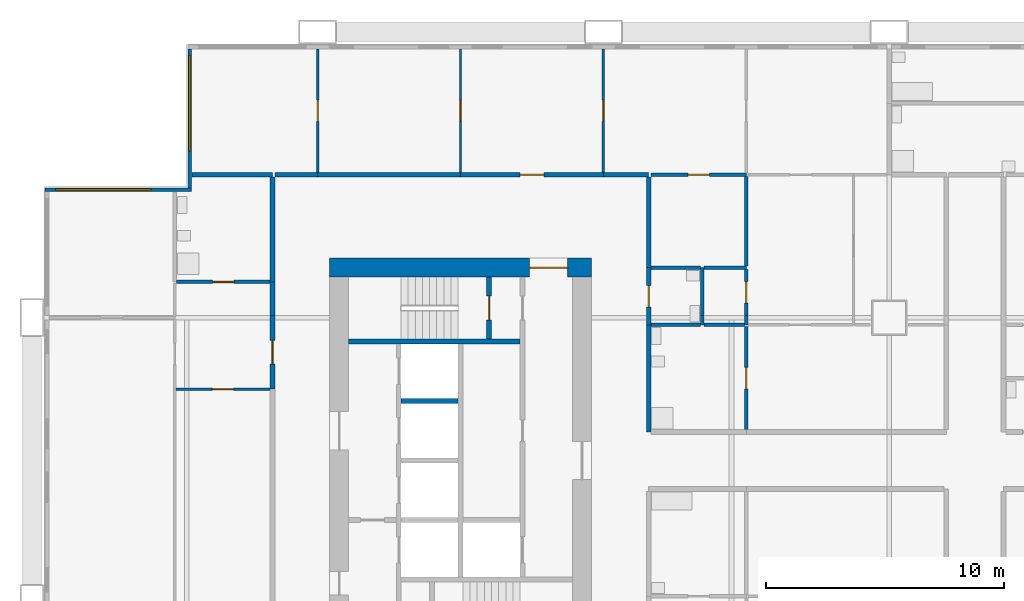
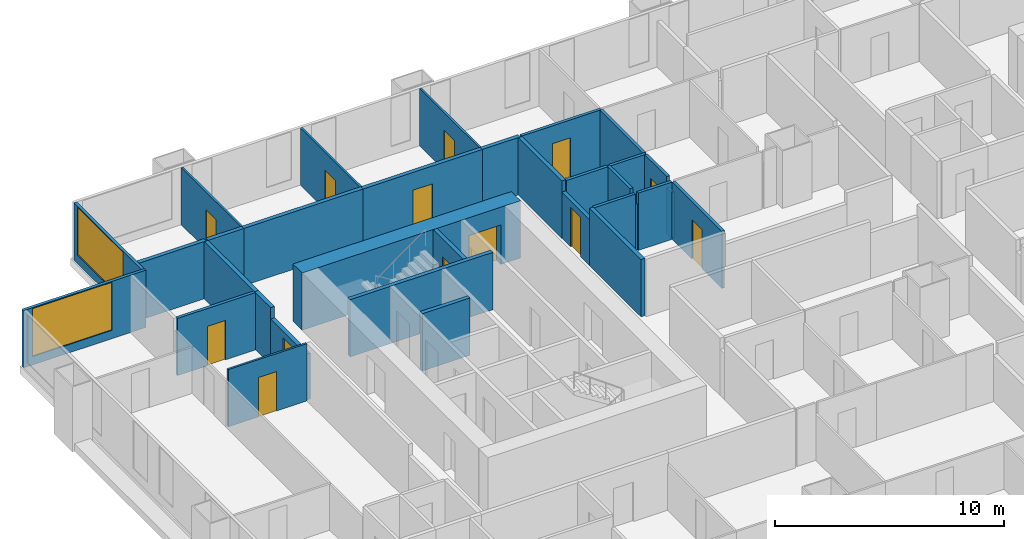
# One storey, part 8 of 14: 33 walls, 13 doors, 2 windows, 15 openings.
"""IFC4 building model written with IfcOpenShell, lengths in metres."""

import ifcopenshell
import ifcopenshell.guid

model = None  # the IFC model being written
_history = None  # IfcOwnerHistory: only IFC2X3 demands one
_inside = {}  # id of a spatial element -> (the spatial element, [elements in it])
_under = {}  # id of a project, library or spatial element -> (it, [spatial elements below it])
_declared = {}  # id of a project -> (the project, [libraries it declares])
_typed = {}  # id of a type object -> (the type object, [elements of that type])
_made_of = {}  # id of a material, layer set ... -> (it, [elements and type objects made of it])


def new_model(schema):
    """Start an empty IFC model of exactly this schema.

    Asked for "IFC4X3", IfcOpenShell would pick the latest addendum, in which some entities
    have other attributes; the version numbers below select the first issue.
    IFC2X3 requires an IfcOwnerHistory on every rooted entity: one is made here for all.
    """
    global model, _history
    if schema == "IFC4X3":
        model = ifcopenshell.file(schema_version=(4, 3, 0, 0))
    else:
        model = ifcopenshell.file(schema=schema)
    _inside.clear()
    _under.clear()
    _declared.clear()
    _typed.clear()
    _made_of.clear()
    _history = None
    if model.schema == "IFC2X3":
        org = make("IfcOrganization", Name="unknown")
        user = make(
            "IfcPersonAndOrganization",
            ThePerson=make("IfcPerson", FamilyName="unknown"),
            TheOrganization=org,
        )
        app = make(
            "IfcApplication",
            ApplicationDeveloper=org,
            Version="unknown",
            ApplicationFullName="unknown",
            ApplicationIdentifier="unknown",
        )
        _history = make(
            "IfcOwnerHistory",
            OwningUser=user,
            OwningApplication=app,
            ChangeAction="ADDED",
            CreationDate=0,
        )
    return model


def make(cls, **values):
    """One entity of the class cls with the attributes given. An attribute that is None is left unset."""
    return model.create_entity(
        cls, **{name: value for name, value in values.items() if value is not None}
    )


def rooted(cls, **values):
    """An entity with a GlobalId (a new one), such as an element, a storey or a relation."""
    return make(cls, GlobalId=ifcopenshell.guid.new(), OwnerHistory=_history, **values)


def si_unit(unit_type, name, prefix=None):
    """IfcSIUnit, for example si_unit("LENGTHUNIT", "METRE", prefix="MILLI")."""
    return make("IfcSIUnit", UnitType=unit_type, Prefix=prefix, Name=name)


def assignment(units):
    """IfcUnitAssignment: the units of a project."""
    return None if units is None else make("IfcUnitAssignment", Units=units)


def point(xyz):
    """IfcCartesianPoint."""
    return None if xyz is None else make("IfcCartesianPoint", Coordinates=xyz)


def direction(xyz):
    """IfcDirection."""
    return None if xyz is None else make("IfcDirection", DirectionRatios=xyz)


def frame(location, z_axis=None, x_axis=None):
    """IfcAxis2Placement3D, a coordinate frame: its origin and axes. An axis left out is left unset."""
    return make(
        "IfcAxis2Placement3D",
        Location=point(location),
        Axis=direction(z_axis),
        RefDirection=direction(x_axis),
    )


def frame_2d(location, x_axis=None):
    """IfcAxis2Placement2D, a coordinate frame in the plane: its origin and x axis."""
    return make(
        "IfcAxis2Placement2D", Location=point(location), RefDirection=direction(x_axis)
    )


def origin():
    """The frame at (0, 0, 0) with its axes left unset."""
    return frame((0.0, 0.0, 0.0))


def place(relative_to, where):
    """IfcLocalPlacement: puts the frame where relative to a parent placement (None: the world)."""
    return make(
        "IfcLocalPlacement", PlacementRelTo=relative_to, RelativePlacement=where
    )


def context(
    kind, dimensions, precision=None, world=None, true_north=None, identifier=None
):
    """IfcGeometricRepresentationContext, for example the 3D "Model" context."""
    return make(
        "IfcGeometricRepresentationContext",
        ContextIdentifier=identifier,
        ContextType=kind,
        CoordinateSpaceDimension=dimensions,
        Precision=precision,
        WorldCoordinateSystem=world,
        TrueNorth=true_north,
    )


def subcontext(parent, identifier, kind, view, scale=None):
    """IfcGeometricRepresentationSubContext, for example "Body" below "Model"."""
    return make(
        "IfcGeometricRepresentationSubContext",
        ContextIdentifier=identifier,
        ContextType=kind,
        ParentContext=parent,
        TargetScale=scale,
        TargetView=view,
    )


def project(units=None, contexts=None):
    """IfcProject with its units and contexts."""
    return rooted(
        "IfcProject",
        Name="project",
        RepresentationContexts=contexts,
        UnitsInContext=assignment(units),
    )


def spatial(cls, under=None, at=None, **own):
    """A site, building, storey or space (cls), placed at a placement, below another one or the project."""
    s = rooted(cls, ObjectPlacement=at, **own)
    if under is not None:
        _under.setdefault(under.id(), (under, []))[1].append(s)
    return s


def profile(cls, at=None, kind="AREA", **sizes):
    """A parametric profile (cls). Its sizes go by their IFC names, for example OverallWidth=200.0."""
    return make(cls, ProfileType=kind, Position=at, **sizes)


def rectangle(**sizes):
    """IfcRectangleProfileDef."""
    return profile("IfcRectangleProfileDef", **sizes)


def extrude(swept, where, along, depth):
    """IfcExtrudedAreaSolid: the profile swept, set in the frame where, extruded along a direction by depth."""
    return make(
        "IfcExtrudedAreaSolid",
        SweptArea=swept,
        Position=where,
        ExtrudedDirection=direction(along),
        Depth=depth,
    )


def shape(context_of_items, identifier, shape_type, items):
    """IfcShapeRepresentation: the items that make up one representation, for example the "Body"."""
    return make(
        "IfcShapeRepresentation",
        ContextOfItems=context_of_items,
        RepresentationIdentifier=identifier,
        RepresentationType=shape_type,
        Items=items,
    )


def material(Name=None, Category=None):
    """IfcMaterial."""
    return make("IfcMaterial", Name=Name, Category=Category)


def layer(
    of_material, thickness, ventilated=None, Name=None, Category=None, Priority=None
):
    """IfcMaterialLayer: one layer of a wall or slab, of a material (None: an air gap)."""
    return make(
        "IfcMaterialLayer",
        Material=of_material,
        LayerThickness=thickness,
        IsVentilated=ventilated,
        Name=Name,
        Category=Category,
        Priority=Priority,
    )


def layer_set(layers, Name=None):
    """IfcMaterialLayerSet."""
    return make("IfcMaterialLayerSet", MaterialLayers=layers, LayerSetName=Name)


def made_of(thing, what):
    """Note that an element or type object is made of a material, layer set ...; save() writes the relation."""
    if what is not None:
        _made_of.setdefault(what.id(), (what, []))[1].append(thing)
    return thing


def type_object(cls, material=None, **own):
    """A type object (cls), such as IfcWallType, which elements share."""
    return made_of(rooted(cls, **own), material)


def element(
    cls,
    number,
    at=None,
    inside=None,
    cuts=None,
    type_object=None,
    material=None,
    context=None,
    identifier="Body",
    shape_type=None,
    held_by="IfcProductDefinitionShape",
    body=None,
    shapes=None,
    **own,
):
    """One element of the class cls, such as IfcWall. Its Tag is "e" and its number.

    at: its placement. inside: the storey or other place that contains it. cuts: it is an
    opening in that element (IfcRelVoidsElement). A single representation is given by context,
    identifier, shape_type and body (its items); several are given by shapes. held_by: the class
    of the entity that holds the representations. save() writes the other relations.
    """
    e = rooted(cls, Tag="e%d" % number, ObjectPlacement=at, **own)
    if body is not None:
        shapes = [shape(context, identifier, shape_type, body)]
    if shapes is not None:
        e.Representation = make(held_by, Representations=shapes)
    if inside is not None:
        _inside.setdefault(inside.id(), (inside, []))[1].append(e)
    if cuts is not None:
        rooted(
            "IfcRelVoidsElement", RelatingBuildingElement=cuts, RelatedOpeningElement=e
        )
    if type_object is not None:
        _typed.setdefault(type_object.id(), (type_object, []))[1].append(e)
    return made_of(e, material)


def fill(opening, filler):
    """IfcRelFillsElement: the door or window that sits in an opening."""
    return rooted(
        "IfcRelFillsElement",
        RelatingOpeningElement=opening,
        RelatedBuildingElement=filler,
    )


def aggregate(whole, parts):
    """IfcRelAggregates: a whole, such as a stair, and the parts it consists of."""
    return rooted("IfcRelAggregates", RelatingObject=whole, RelatedObjects=parts)


def save(model, path):
    """Write the relations noted so far, then the file.

    IfcRelAggregates (storeys below a building ...), IfcRelContainedInSpatialStructure (elements
    in a storey), IfcRelDefinesByType, IfcRelAssociatesMaterial and IfcRelDeclares: one each for
    every whole, place, type object, material and project.
    """
    for whole, parts in _under.values():
        aggregate(whole, parts)
    for where, things in _inside.values():
        rooted(
            "IfcRelContainedInSpatialStructure",
            RelatedElements=things,
            RelatingStructure=where,
        )
    for kind, things in _typed.values():
        rooted("IfcRelDefinesByType", RelatedObjects=things, RelatingType=kind)
    for what, things in _made_of.values():
        rooted("IfcRelAssociatesMaterial", RelatedObjects=things, RelatingMaterial=what)
    for by, libraries in _declared.values():
        rooted("IfcRelDeclares", RelatingContext=by, RelatedDefinitions=libraries)
    model.write(path)


model = new_model("IFC4")

# Units and contexts
model_context = context("Model", 3, precision=1e-05, world=origin(), true_north=direction((0.0, 1.0)))
body_context = subcontext(model_context, "Body", "Model", "MODEL_VIEW")
ifc_project = project(units=[si_unit("LENGTHUNIT", "METRE"), si_unit("AREAUNIT", "SQUARE_METRE"), si_unit("VOLUMEUNIT", "CUBIC_METRE"), si_unit("PLANEANGLEUNIT", "RADIAN"), si_unit("MASSUNIT", "GRAM", prefix="KILO")], contexts=[model_context])

# Site, building, storey
site_placement = place(None, origin())
site = spatial("IfcSite", under=ifc_project, at=site_placement, CompositionType="ELEMENT")
building_placement = place(site_placement, origin())
building = spatial("IfcBuilding", under=site, at=building_placement, Name="Kitamizu Gate Tower and Museum", CompositionType="ELEMENT")
storey_placement = place(building_placement, frame((0.0, 0.0, 85.199951171875)))
storey = spatial("IfcBuildingStorey", under=building, at=storey_placement, Name="L21", CompositionType="ELEMENT", Elevation=85.199951171875)

# Wall, opening, door
ifc_material_1 = material(Name="Concrete Fc60", Category="concrete")
ifc_layer_1 = layer(ifc_material_1, 0.800048828125)
ifc_layer_set_1 = layer_set([ifc_layer_1], Name="Concrete Fc60")
wall_type_1 = type_object("IfcWallType", Name="Core wall 800", PredefinedType="SHEAR", material=ifc_layer_set_1)
wall_1_placement = place(storey_placement, frame((12.5, 38.10009765625, 0.0), z_axis=(0.0, 0.0, 1.0), x_axis=(1.0, 0.0, 0.0)))
wall_1 = element("IfcWall", 1, at=wall_1_placement, inside=storey, type_object=wall_type_1, Name="Core wall WN", PredefinedType="SHEAR", context=body_context, shape_type="SweptSolid", body=[
    extrude(rectangle(XDim=11.0, YDim=0.800048828125, at=frame_2d((5.5, 0.0))), origin(), (0.0, 0.0, 1.0), 3.050048828125),
])
opening_1_placement = place(wall_1_placement, frame((8.39990234375, 0.0, 0.0)))
opening_1 = element("IfcOpeningElement", 2, at=opening_1_placement, cuts=wall_1, Name="Opening L21-083", PredefinedType="OPENING", context=body_context, shape_type="SweptSolid", body=[
    extrude(rectangle(XDim=1.60009765625, YDim=2.10009765625, at=frame_2d((0.800048828125, 1.050048828125))), frame((0.0, 0.41015625, 0.0), z_axis=(0.0, -1.0, 0.0), x_axis=(1.0, 0.0, 0.0)), (0.0, 0.0, 1.0), 0.820068359375),
])
ifc_material_2 = material(Name="Timber door set", Category="wood")
door_type_1 = type_object("IfcDoorType", Name="Entrance door 1600", OperationType="DOUBLE_DOOR_SINGLE_SWING", PredefinedType="DOOR", material=ifc_material_2)
door_1_placement = place(opening_1_placement, origin())
door_1 = element("IfcDoor", 3, at=door_1_placement, inside=storey, type_object=door_type_1, Name="Lobby door L21-083", OperationType="DOUBLE_DOOR_SINGLE_SWING", OverallHeight=2.10009765625, OverallWidth=1.60009765625, PredefinedType="DOOR", context=body_context, shape_type="SweptSolid", body=[
    extrude(rectangle(XDim=1.60009765625, YDim=2.10009765625, at=frame_2d((0.800048828125, 1.050048828125))), frame((0.0, 0.02490234375, 0.0), z_axis=(0.0, -1.0, 0.0), x_axis=(1.0, 0.0, 0.0)), (0.0, 0.0, 1.0), 0.050048828125),
])
fill(opening_1, door_1)

ifc_material_3 = material(Name="Gypsum board on galvanised stud")
ifc_layer_2 = layer(ifc_material_3, 0.10009765625)
ifc_layer_set_2 = layer_set([ifc_layer_2], Name="Gypsum board on galvanised stud")
wall_type_2 = type_object("IfcWallType", Name="Partition 100 NOT RATED", PredefinedType="PARTITIONING", material=ifc_layer_set_2)
wall_2_placement = place(storey_placement, frame((10.0, 33.0, 0.0), z_axis=(0.0, 0.0, 1.0), x_axis=(-1.0, 0.0, 0.0)))
wall_2 = element("IfcWall", 4, at=wall_2_placement, inside=storey, type_object=wall_type_2, Name="Partition L21-075", PredefinedType="PARTITIONING", context=body_context, shape_type="SweptSolid", body=[
    extrude(rectangle(XDim=3.949951171875, YDim=0.10009765625, at=frame_2d((1.97509765625, 0.0))), origin(), (0.0, 0.0, 1.0), 3.050048828125),
])
opening_2_placement = place(wall_2_placement, frame((1.52490234375, 0.0, 0.0)))
opening_2 = element("IfcOpeningElement", 5, at=opening_2_placement, cuts=wall_2, Name="Opening L21-023", PredefinedType="OPENING", context=body_context, shape_type="SweptSolid", body=[
    extrude(rectangle(XDim=0.89990234375, YDim=2.10009765625, at=frame_2d((0.449951171875, 1.050048828125))), frame((0.0, 0.06005859375, 0.0), z_axis=(0.0, -1.0, 0.0), x_axis=(1.0, 0.0, 0.0)), (0.0, 0.0, 1.0), 0.1201171875),
])
ifc_material_4 = material(Name="Timber door set", Category="wood")
door_type_2 = type_object("IfcDoorType", Name="Room door 900", OperationType="NOTDEFINED", PredefinedType="DOOR", material=ifc_material_4)
door_2_placement = place(opening_2_placement, frame((0.89990234375, 0.0, 0.0), x_axis=(-1.0, 0.0, 0.0)))
door_2 = element("IfcDoor", 6, at=door_2_placement, inside=storey, type_object=door_type_2, Name="Door L21-023", OperationType="SINGLE_SWING_RIGHT", OverallHeight=2.10009765625, OverallWidth=0.89990234375, PredefinedType="DOOR", context=body_context, shape_type="SweptSolid", body=[
    extrude(rectangle(XDim=0.89990234375, YDim=2.10009765625, at=frame_2d((0.449951171875, 1.050048828125))), frame((0.0, 0.02490234375, 0.0), z_axis=(0.0, -1.0, 0.0), x_axis=(1.0, 0.0, 0.0)), (0.0, 0.0, 1.0), 0.050048828125),
])
fill(opening_2, door_2)

wall_3_placement = place(storey_placement, frame((12.0, 42.10009765625, 0.0), z_axis=(0.0, 0.0, 1.0), x_axis=(0.0, 1.0, 0.0)))
wall_3 = element("IfcWall", 7, at=wall_3_placement, inside=storey, type_object=wall_type_2, Name="Partition L21-083", PredefinedType="PARTITIONING", context=body_context, shape_type="SweptSolid", body=[
    extrude(rectangle(XDim=5.179931640625, YDim=0.10009765625, at=frame_2d((2.58984375, 0.0))), origin(), (0.0, 0.0, 1.0), 3.050048828125),
])
opening_3_placement = place(wall_3_placement, frame((2.139892578125, 0.0, 0.0)))
opening_3 = element("IfcOpeningElement", 8, at=opening_3_placement, cuts=wall_3, Name="Opening L21-031", PredefinedType="OPENING", context=body_context, shape_type="SweptSolid", body=[
    extrude(rectangle(XDim=0.89990234375, YDim=2.10009765625, at=frame_2d((0.449951171875, 1.050048828125))), frame((0.0, 0.06005859375, 0.0), z_axis=(0.0, -1.0, 0.0), x_axis=(1.0, 0.0, 0.0)), (0.0, 0.0, 1.0), 0.1201171875),
])
door_3_placement = place(opening_3_placement, origin())
door_3 = element("IfcDoor", 9, at=door_3_placement, inside=storey, type_object=door_type_2, Name="Door L21-031", OperationType="SINGLE_SWING_LEFT", OverallHeight=2.10009765625, OverallWidth=0.89990234375, PredefinedType="DOOR", context=body_context, shape_type="SweptSolid", body=[
    extrude(rectangle(XDim=0.89990234375, YDim=2.10009765625, at=frame_2d((0.449951171875, 1.050048828125))), frame((0.0, 0.02490234375, 0.0), z_axis=(0.0, -1.0, 0.0), x_axis=(1.0, 0.0, 0.0)), (0.0, 0.0, 1.0), 0.050048828125),
])
fill(opening_3, door_3)

wall_4_placement = place(storey_placement, frame((18.0, 42.10009765625, 0.0), z_axis=(0.0, 0.0, 1.0), x_axis=(0.0, 1.0, 0.0)))
wall_4 = element("IfcWall", 10, at=wall_4_placement, inside=storey, type_object=wall_type_2, Name="Partition L21-085", PredefinedType="PARTITIONING", context=body_context, shape_type="SweptSolid", body=[
    extrude(rectangle(XDim=5.179931640625, YDim=0.10009765625, at=frame_2d((2.58984375, 0.0))), origin(), (0.0, 0.0, 1.0), 3.050048828125),
])
opening_4_placement = place(wall_4_placement, frame((2.139892578125, 0.0, 0.0)))
opening_4 = element("IfcOpeningElement", 11, at=opening_4_placement, cuts=wall_4, Name="Opening L21-030", PredefinedType="OPENING", context=body_context, shape_type="SweptSolid", body=[
    extrude(rectangle(XDim=0.89990234375, YDim=2.10009765625, at=frame_2d((0.449951171875, 1.050048828125))), frame((0.0, 0.06005859375, 0.0), z_axis=(0.0, -1.0, 0.0), x_axis=(1.0, 0.0, 0.0)), (0.0, 0.0, 1.0), 0.1201171875),
])
door_4_placement = place(opening_4_placement, origin())
door_4 = element("IfcDoor", 12, at=door_4_placement, inside=storey, type_object=door_type_2, Name="Door L21-030", OperationType="SINGLE_SWING_RIGHT", OverallHeight=2.10009765625, OverallWidth=0.89990234375, PredefinedType="DOOR", context=body_context, shape_type="SweptSolid", body=[
    extrude(rectangle(XDim=0.89990234375, YDim=2.10009765625, at=frame_2d((0.449951171875, 1.050048828125))), frame((0.0, 0.02490234375, 0.0), z_axis=(0.0, -1.0, 0.0), x_axis=(1.0, 0.0, 0.0)), (0.0, 0.0, 1.0), 0.050048828125),
])
fill(opening_4, door_4)

wall_5_placement = place(storey_placement, frame((24.0, 42.10009765625, 0.0), z_axis=(0.0, 0.0, 1.0), x_axis=(0.0, 1.0, 0.0)))
wall_5 = element("IfcWall", 13, at=wall_5_placement, inside=storey, type_object=wall_type_2, Name="Partition L21-087", PredefinedType="PARTITIONING", context=body_context, shape_type="SweptSolid", body=[
    extrude(rectangle(XDim=5.179931640625, YDim=0.10009765625, at=frame_2d((2.58984375, 0.0))), origin(), (0.0, 0.0, 1.0), 3.050048828125),
])
opening_5_placement = place(wall_5_placement, frame((2.139892578125, 0.0, 0.0)))
opening_5 = element("IfcOpeningElement", 14, at=opening_5_placement, cuts=wall_5, Name="Opening L21-032", PredefinedType="OPENING", context=body_context, shape_type="SweptSolid", body=[
    extrude(rectangle(XDim=0.89990234375, YDim=2.10009765625, at=frame_2d((0.449951171875, 1.050048828125))), frame((0.0, 0.06005859375, 0.0), z_axis=(0.0, -1.0, 0.0), x_axis=(1.0, 0.0, 0.0)), (0.0, 0.0, 1.0), 0.1201171875),
])
door_5_placement = place(opening_5_placement, frame((0.89990234375, 0.0, 0.0), x_axis=(-1.0, 0.0, 0.0)))
door_5 = element("IfcDoor", 15, at=door_5_placement, inside=storey, type_object=door_type_2, Name="Door L21-032", OperationType="SINGLE_SWING_LEFT", OverallHeight=2.10009765625, OverallWidth=0.89990234375, PredefinedType="DOOR", context=body_context, shape_type="SweptSolid", body=[
    extrude(rectangle(XDim=0.89990234375, YDim=2.10009765625, at=frame_2d((0.449951171875, 1.050048828125))), frame((0.0, 0.02490234375, 0.0), z_axis=(0.0, -1.0, 0.0), x_axis=(1.0, 0.0, 0.0)), (0.0, 0.0, 1.0), 0.050048828125),
])
fill(opening_5, door_5)

ifc_material_5 = material(Name="Gypsum board on galvanised stud")
ifc_layer_3 = layer(ifc_material_5, 0.14990234375)
ifc_layer_set_3 = layer_set([ifc_layer_3], Name="Gypsum board on galvanised stud")
wall_type_3 = type_object("IfcWallType", Name="Partition 150", PredefinedType="PARTITIONING", material=ifc_layer_set_3)
wall_6_placement = place(storey_placement, frame((10.0, 37.5, 0.0), z_axis=(0.0, 0.0, 1.0), x_axis=(-1.0, 0.0, 0.0)))
wall_6 = element("IfcWall", 16, at=wall_6_placement, inside=storey, type_object=wall_type_3, Name="Partition L21-078", PredefinedType="PARTITIONING", context=body_context, shape_type="SweptSolid", body=[
    extrude(rectangle(XDim=3.925048828125, YDim=0.14990234375, at=frame_2d((1.96240234375, 0.0))), origin(), (0.0, 0.0, 1.0), 3.050048828125),
])
opening_6_placement = place(wall_6_placement, frame((1.512451171875, 0.0, 0.0)))
opening_6 = element("IfcOpeningElement", 17, at=opening_6_placement, cuts=wall_6, Name="Opening L21-025", PredefinedType="OPENING", context=body_context, shape_type="SweptSolid", body=[
    extrude(rectangle(XDim=0.89990234375, YDim=2.10009765625, at=frame_2d((0.449951171875, 1.050048828125))), frame((0.0, 0.0849609375, 0.0), z_axis=(0.0, -1.0, 0.0), x_axis=(1.0, 0.0, 0.0)), (0.0, 0.0, 1.0), 0.169921875),
])
ifc_material_6 = material(Name="Timber door set", Category="wood")
door_type_3 = type_object("IfcDoorType", Name="Bathroom door 900", OperationType="NOTDEFINED", PredefinedType="DOOR", material=ifc_material_6)
door_6_placement = place(opening_6_placement, frame((0.89990234375, 0.0, 0.0), x_axis=(-1.0, 0.0, 0.0)))
door_6 = element("IfcDoor", 18, at=door_6_placement, inside=storey, type_object=door_type_3, Name="Bathroom door L21-025", OperationType="SINGLE_SWING_RIGHT", OverallHeight=2.10009765625, OverallWidth=0.89990234375, PredefinedType="DOOR", context=body_context, shape_type="SweptSolid", body=[
    extrude(rectangle(XDim=0.89990234375, YDim=2.10009765625, at=frame_2d((0.449951171875, 1.050048828125))), frame((0.0, 0.02490234375, 0.0), z_axis=(0.0, -1.0, 0.0), x_axis=(1.0, 0.0, 0.0)), (0.0, 0.0, 1.0), 0.050048828125),
])
fill(opening_6, door_6)

wall_7_placement = place(storey_placement, frame((26.0, 42.0, 0.0), z_axis=(0.0, 0.0, 1.0), x_axis=(1.0, 0.0, 0.0)))
wall_7 = element("IfcWall", 19, at=wall_7_placement, inside=storey, type_object=wall_type_3, Name="Partition L21-090", PredefinedType="PARTITIONING", context=body_context, shape_type="SweptSolid", body=[
    extrude(rectangle(XDim=4.0, YDim=0.14990234375, at=frame_2d((2.0, 0.0))), origin(), (0.0, 0.0, 1.0), 3.050048828125),
])
opening_7_placement = place(wall_7_placement, frame((1.550048828125, 0.0, 0.0)))
opening_7 = element("IfcOpeningElement", 20, at=opening_7_placement, cuts=wall_7, Name="Opening L21-034", PredefinedType="OPENING", context=body_context, shape_type="SweptSolid", body=[
    extrude(rectangle(XDim=0.89990234375, YDim=2.10009765625, at=frame_2d((0.449951171875, 1.050048828125))), frame((0.0, 0.0849609375, 0.0), z_axis=(0.0, -1.0, 0.0), x_axis=(1.0, 0.0, 0.0)), (0.0, 0.0, 1.0), 0.169921875),
])
door_7_placement = place(opening_7_placement, frame((0.89990234375, 0.0, 0.0), x_axis=(-1.0, 0.0, 0.0)))
door_7 = element("IfcDoor", 21, at=door_7_placement, inside=storey, type_object=door_type_3, Name="Bathroom door L21-034", OperationType="SINGLE_SWING_LEFT", OverallHeight=2.10009765625, OverallWidth=0.89990234375, PredefinedType="DOOR", context=body_context, shape_type="SweptSolid", body=[
    extrude(rectangle(XDim=0.89990234375, YDim=2.10009765625, at=frame_2d((0.449951171875, 1.050048828125))), frame((0.0, 0.02490234375, 0.0), z_axis=(0.0, -1.0, 0.0), x_axis=(1.0, 0.0, 0.0)), (0.0, 0.0, 1.0), 0.050048828125),
])
fill(opening_7, door_7)

# Walls
wall_8_placement = place(storey_placement, frame((28.14990234375, 35.699951171875, 0.0), z_axis=(0.0, 0.0, 1.0), x_axis=(0.0, 1.0, 0.0)))
element("IfcWall", 22, at=wall_8_placement, inside=storey, type_object=wall_type_3, Name="Partition L21-096", PredefinedType="PARTITIONING", context=body_context, shape_type="SweptSolid", body=[
    extrude(rectangle(XDim=0.400146484375, YDim=0.14990234375, at=frame_2d((0.2001953125, 0.0))), origin(), (0.0, 0.0, 1.0), 2.449951171875),
])
wall_9_placement = place(storey_placement, frame((28.14990234375, 36.10009765625, 0.0), z_axis=(0.0, 0.0, 1.0), x_axis=(0.0, 1.0, 0.0)))
element("IfcWall", 23, at=wall_9_placement, inside=storey, type_object=wall_type_3, Name="Partition L21-097", PredefinedType="PARTITIONING", context=body_context, shape_type="SweptSolid", body=[
    extrude(rectangle(XDim=2.0, YDim=0.14990234375, at=frame_2d((1.0, 0.0))), origin(), (0.0, 0.0, 1.0), 3.050048828125),
])
for number, where, z_axis, x_axis, name in (
    (24, (28.074951171875, 38.10009765625, 0.0), (0.0, 0.0, 1.0), (-1.0, 0.0, 0.0), "Partition L21-098"),
    (25, (26.0, 35.699951171875, 0.0), (0.0, 0.0, 1.0), (1.0, 0.0, 0.0), "Partition L21-099"),
):
    element("IfcWall", number, at=place(storey_placement, frame(where, z_axis=z_axis, x_axis=x_axis)), inside=storey, type_object=wall_type_3, Name=name, PredefinedType="PARTITIONING", context=body_context, shape_type="SweptSolid", body=[
        extrude(rectangle(XDim=2.074951171875, YDim=0.14990234375, at=frame_2d((1.03759765625, 0.0))), origin(), (0.0, 0.0, 1.0), 3.050048828125),
    ])
wall_10_placement = place(storey_placement, frame((30.0, 38.10009765625, 0.0), z_axis=(0.0, 0.0, 1.0), x_axis=(-1.0, 0.0, 0.0)))
element("IfcWall", 26, at=wall_10_placement, inside=storey, type_object=wall_type_3, Name="Partition L21-101", PredefinedType="PARTITIONING", context=body_context, shape_type="SweptSolid", body=[
    extrude(rectangle(XDim=1.77490234375, YDim=0.14990234375, at=frame_2d((0.887451171875, 0.0))), origin(), (0.0, 0.0, 1.0), 3.050048828125),
])
wall_11_placement = place(storey_placement, frame((30.0, 35.699951171875, 0.0), z_axis=(0.0, 0.0, 1.0), x_axis=(0.0, 1.0, 0.0)))
element("IfcWall", 27, at=wall_11_placement, inside=storey, type_object=wall_type_3, Name="Partition L21-102", PredefinedType="PARTITIONING", context=body_context, shape_type="SweptSolid", body=[
    extrude(rectangle(XDim=0.400146484375, YDim=0.14990234375, at=frame_2d((0.2001953125, 0.0))), origin(), (0.0, 0.0, 1.0), 2.449951171875),
])

# Wall, opening, door
wall_12_placement = place(storey_placement, frame((30.0, 36.10009765625, 0.0), z_axis=(0.0, 0.0, 1.0), x_axis=(0.0, 1.0, 0.0)))
wall_12 = element("IfcWall", 28, at=wall_12_placement, inside=storey, type_object=wall_type_3, Name="Partition L21-103", PredefinedType="PARTITIONING", context=body_context, shape_type="SweptSolid", body=[
    extrude(rectangle(XDim=1.9248046875, YDim=0.14990234375, at=frame_2d((0.96240234375, 0.0))), origin(), (0.0, 0.0, 1.0), 3.050048828125),
])
opening_8_placement = place(wall_12_placement, frame((0.512451171875, 0.0, 0.0)))
opening_8 = element("IfcOpeningElement", 29, at=opening_8_placement, cuts=wall_12, Name="Opening L21-038", PredefinedType="OPENING", context=body_context, shape_type="SweptSolid", body=[
    extrude(rectangle(XDim=0.89990234375, YDim=2.10009765625, at=frame_2d((0.449951171875, 1.050048828125))), frame((0.0, 0.0849609375, 0.0), z_axis=(0.0, -1.0, 0.0), x_axis=(1.0, 0.0, 0.0)), (0.0, 0.0, 1.0), 0.169921875),
])
door_8_placement = place(opening_8_placement, origin())
door_8 = element("IfcDoor", 30, at=door_8_placement, inside=storey, type_object=door_type_3, Name="Bathroom door L21-038", OperationType="SINGLE_SWING_LEFT", OverallHeight=2.10009765625, OverallWidth=0.89990234375, PredefinedType="DOOR", context=body_context, shape_type="SweptSolid", body=[
    extrude(rectangle(XDim=0.89990234375, YDim=2.10009765625, at=frame_2d((0.449951171875, 1.050048828125))), frame((0.0, 0.02490234375, 0.0), z_axis=(0.0, -1.0, 0.0), x_axis=(1.0, 0.0, 0.0)), (0.0, 0.0, 1.0), 0.050048828125),
])
fill(opening_8, door_8)

# Walls
wall_13_placement = place(storey_placement, frame((28.22509765625, 35.699951171875, 0.0), z_axis=(0.0, 0.0, 1.0), x_axis=(1.0, 0.0, 0.0)))
element("IfcWall", 31, at=wall_13_placement, inside=storey, type_object=wall_type_3, Name="Partition L21-104", PredefinedType="PARTITIONING", context=body_context, shape_type="SweptSolid", body=[
    extrude(rectangle(XDim=1.699951171875, YDim=0.14990234375, at=frame_2d((0.85009765625, 0.0))), origin(), (0.0, 0.0, 1.0), 3.050048828125),
])
wall_14_placement = place(storey_placement, frame((30.0, 38.175048828125, 0.0), z_axis=(0.0, 0.0, 1.0), x_axis=(0.0, 1.0, 0.0)))
element("IfcWall", 32, at=wall_14_placement, inside=storey, type_object=wall_type_3, Name="Partition L21-105", PredefinedType="PARTITIONING", context=body_context, shape_type="SweptSolid", body=[
    extrude(rectangle(XDim=3.75, YDim=0.14990234375, at=frame_2d((1.875, 0.0))), origin(), (0.0, 0.0, 1.0), 3.050048828125),
])

# Wall, opening, door
wall_15_placement = place(storey_placement, frame((30.0, 31.300048828125, 0.0), z_axis=(0.0, 0.0, 1.0), x_axis=(0.0, 1.0, 0.0)))
wall_15 = element("IfcWall", 33, at=wall_15_placement, inside=storey, type_object=wall_type_3, Name="Partition L21-115", PredefinedType="PARTITIONING", context=body_context, shape_type="SweptSolid", body=[
    extrude(rectangle(XDim=4.324951171875, YDim=0.14990234375, at=frame_2d((2.16259765625, 0.0))), origin(), (0.0, 0.0, 1.0), 3.050048828125),
])
opening_9_placement = place(wall_15_placement, frame((1.71240234375, 0.0, 0.0)))
opening_9 = element("IfcOpeningElement", 34, at=opening_9_placement, cuts=wall_15, Name="Opening L21-039", PredefinedType="OPENING", context=body_context, shape_type="SweptSolid", body=[
    extrude(rectangle(XDim=0.89990234375, YDim=2.10009765625, at=frame_2d((0.449951171875, 1.050048828125))), frame((0.0, 0.0849609375, 0.0), z_axis=(0.0, -1.0, 0.0), x_axis=(1.0, 0.0, 0.0)), (0.0, 0.0, 1.0), 0.169921875),
])
door_9_placement = place(opening_9_placement, origin())
door_9 = element("IfcDoor", 35, at=door_9_placement, inside=storey, type_object=door_type_3, Name="Bathroom door L21-039", OperationType="SINGLE_SWING_RIGHT", OverallHeight=2.10009765625, OverallWidth=0.89990234375, PredefinedType="DOOR", context=body_context, shape_type="SweptSolid", body=[
    extrude(rectangle(XDim=0.89990234375, YDim=2.10009765625, at=frame_2d((0.449951171875, 1.050048828125))), frame((0.0, 0.02490234375, 0.0), z_axis=(0.0, -1.0, 0.0), x_axis=(1.0, 0.0, 0.0)), (0.0, 0.0, 1.0), 0.050048828125),
])
fill(opening_9, door_9)

ifc_material_7 = material(Name="Gypsum board on galvanised stud")
ifc_layer_4 = layer(ifc_material_7, 0.199951171875)
ifc_layer_set_4 = layer_set([ifc_layer_4], Name="Gypsum board on galvanised stud")
wall_type_4 = type_object("IfcWallType", Name="Partition 200", PredefinedType="PARTITIONING", material=ifc_layer_set_4)
wall_16_placement = place(storey_placement, frame((10.10009765625, 33.0, 0.0), z_axis=(0.0, 0.0, 1.0), x_axis=(0.0, 1.0, 0.0)))
wall_16 = element("IfcWall", 36, at=wall_16_placement, inside=storey, type_object=wall_type_4, Name="Partition L21-079", PredefinedType="PARTITIONING", context=body_context, shape_type="SweptSolid", body=[
    extrude(rectangle(XDim=3.10009765625, YDim=0.199951171875, at=frame_2d((1.550048828125, 0.0))), origin(), (0.0, 0.0, 1.0), 2.449951171875),
])
opening_10_placement = place(wall_16_placement, frame((1.050048828125, 0.0, 0.0)))
opening_10 = element("IfcOpeningElement", 37, at=opening_10_placement, cuts=wall_16, Name="Opening L21-021", PredefinedType="OPENING", context=body_context, shape_type="SweptSolid", body=[
    extrude(rectangle(XDim=1.0, YDim=2.10009765625, at=frame_2d((0.5, 1.050048828125))), frame((0.0, 0.10986328125, 0.0), z_axis=(0.0, -1.0, 0.0), x_axis=(1.0, 0.0, 0.0)), (0.0, 0.0, 1.0), 0.219970703125),
])
ifc_material_8 = material(Name="Timber door set", Category="wood")
door_type_4 = type_object("IfcDoorType", Name="Flat entrance door 1000", OperationType="NOTDEFINED", PredefinedType="DOOR", material=ifc_material_8)
door_10_placement = place(opening_10_placement, origin())
door_10 = element("IfcDoor", 38, at=door_10_placement, inside=storey, type_object=door_type_4, Name="Flat entrance door L21-021", OperationType="SINGLE_SWING_RIGHT", OverallHeight=2.10009765625, OverallWidth=1.0, PredefinedType="DOOR", context=body_context, shape_type="SweptSolid", body=[
    extrude(rectangle(XDim=1.0, YDim=2.10009765625, at=frame_2d((0.5, 1.050048828125))), frame((0.0, 0.02490234375, 0.0), z_axis=(0.0, -1.0, 0.0), x_axis=(1.0, 0.0, 0.0)), (0.0, 0.0, 1.0), 0.050048828125),
])
fill(opening_10, door_10)

# Walls
wall_17_placement = place(storey_placement, frame((10.10009765625, 36.10009765625, 0.0), z_axis=(0.0, 0.0, 1.0), x_axis=(0.0, 1.0, 0.0)))
element("IfcWall", 39, at=wall_17_placement, inside=storey, type_object=wall_type_4, Name="Partition L21-080", PredefinedType="PARTITIONING", context=body_context, shape_type="SweptSolid", body=[
    extrude(rectangle(XDim=1.39990234375, YDim=0.199951171875, at=frame_2d((0.699951171875, 0.0))), origin(), (0.0, 0.0, 1.0), 3.050048828125),
])
wall_18_placement = place(storey_placement, frame((10.10009765625, 42.0, 0.0), z_axis=(0.0, 0.0, 1.0), x_axis=(-1.0, 0.0, 0.0)))
element("IfcWall", 40, at=wall_18_placement, inside=storey, type_object=wall_type_4, Name="Partition L21-081", PredefinedType="PARTITIONING", context=body_context, shape_type="SweptSolid", body=[
    extrude(rectangle(XDim=3.380126953125, YDim=0.199951171875, at=frame_2d((1.68994140625, 0.0))), origin(), (0.0, 0.0, 1.0), 3.050048828125),
])
wall_19_placement = place(storey_placement, frame((10.10009765625, 37.5, 0.0), z_axis=(0.0, 0.0, 1.0), x_axis=(0.0, 1.0, 0.0)))
element("IfcWall", 41, at=wall_19_placement, inside=storey, type_object=wall_type_4, Name="Partition L21-082", PredefinedType="PARTITIONING", context=body_context, shape_type="SweptSolid", body=[
    extrude(rectangle(XDim=4.39990234375, YDim=0.199951171875, at=frame_2d((2.199951171875, 0.0))), origin(), (0.0, 0.0, 1.0), 3.050048828125),
])
wall_20_placement = place(storey_placement, frame((10.199951171875, 42.0, 0.0), z_axis=(0.0, 0.0, 1.0), x_axis=(1.0, 0.0, 0.0)))
element("IfcWall", 42, at=wall_20_placement, inside=storey, type_object=wall_type_4, Name="Partition L21-084", PredefinedType="PARTITIONING", context=body_context, shape_type="SweptSolid", body=[
    extrude(rectangle(XDim=1.800048828125, YDim=0.199951171875, at=frame_2d((0.89990234375, 0.0))), origin(), (0.0, 0.0, 1.0), 3.050048828125),
])
wall_21_placement = place(storey_placement, frame((12.0, 42.0, 0.0), z_axis=(0.0, 0.0, 1.0), x_axis=(1.0, 0.0, 0.0)))
element("IfcWall", 43, at=wall_21_placement, inside=storey, type_object=wall_type_4, Name="Partition L21-086", PredefinedType="PARTITIONING", context=body_context, shape_type="SweptSolid", body=[
    extrude(rectangle(XDim=6.0, YDim=0.199951171875, at=frame_2d((3.0, 0.0))), origin(), (0.0, 0.0, 1.0), 3.050048828125),
])

# Wall, opening, door
wall_22_placement = place(storey_placement, frame((18.0, 42.0, 0.0), z_axis=(0.0, 0.0, 1.0), x_axis=(1.0, 0.0, 0.0)))
wall_22 = element("IfcWall", 44, at=wall_22_placement, inside=storey, type_object=wall_type_4, Name="Partition L21-088", PredefinedType="PARTITIONING", context=body_context, shape_type="SweptSolid", body=[
    extrude(rectangle(XDim=6.0, YDim=0.199951171875, at=frame_2d((3.0, 0.0))), origin(), (0.0, 0.0, 1.0), 3.050048828125),
])
opening_11_placement = place(wall_22_placement, frame((2.5, 0.0, 0.0)))
opening_11 = element("IfcOpeningElement", 45, at=opening_11_placement, cuts=wall_22, Name="Opening L21-029", PredefinedType="OPENING", context=body_context, shape_type="SweptSolid", body=[
    extrude(rectangle(XDim=1.0, YDim=2.10009765625, at=frame_2d((0.5, 1.050048828125))), frame((0.0, 0.10986328125, 0.0), z_axis=(0.0, -1.0, 0.0), x_axis=(1.0, 0.0, 0.0)), (0.0, 0.0, 1.0), 0.219970703125),
])
door_11_placement = place(opening_11_placement, origin())
door_11 = element("IfcDoor", 46, at=door_11_placement, inside=storey, type_object=door_type_4, Name="Flat entrance door L21-029", OperationType="SINGLE_SWING_LEFT", OverallHeight=2.10009765625, OverallWidth=1.0, PredefinedType="DOOR", context=body_context, shape_type="SweptSolid", body=[
    extrude(rectangle(XDim=1.0, YDim=2.10009765625, at=frame_2d((0.5, 1.050048828125))), frame((0.0, 0.02490234375, 0.0), z_axis=(0.0, -1.0, 0.0), x_axis=(1.0, 0.0, 0.0)), (0.0, 0.0, 1.0), 0.050048828125),
])
fill(opening_11, door_11)

# Wall
wall_23_placement = place(storey_placement, frame((24.0, 42.0, 0.0), z_axis=(0.0, 0.0, 1.0), x_axis=(1.0, 0.0, 0.0)))
element("IfcWall", 47, at=wall_23_placement, inside=storey, type_object=wall_type_4, Name="Partition L21-091", PredefinedType="PARTITIONING", context=body_context, shape_type="SweptSolid", body=[
    extrude(rectangle(XDim=1.89990234375, YDim=0.199951171875, at=frame_2d((0.949951171875, 0.0))), origin(), (0.0, 0.0, 1.0), 3.050048828125),
])

# Wall, opening, door
wall_24_placement = place(storey_placement, frame((25.89990234375, 38.10009765625, 0.0), z_axis=(0.0, 0.0, 1.0), x_axis=(0.0, -1.0, 0.0)))
wall_24 = element("IfcWall", 48, at=wall_24_placement, inside=storey, type_object=wall_type_4, Name="Partition L21-100", PredefinedType="PARTITIONING", context=body_context, shape_type="SweptSolid", body=[
    extrude(rectangle(XDim=2.400146484375, YDim=0.199951171875, at=frame_2d((1.2001953125, 0.0))), origin(), (0.0, 0.0, 1.0), 2.449951171875),
])
opening_12_placement = place(wall_24_placement, frame((0.75, 0.0, 0.0)))
opening_12 = element("IfcOpeningElement", 49, at=opening_12_placement, cuts=wall_24, Name="Opening L21-040", PredefinedType="OPENING", context=body_context, shape_type="SweptSolid", body=[
    extrude(rectangle(XDim=0.89990234375, YDim=2.10009765625, at=frame_2d((0.449951171875, 1.050048828125))), frame((0.0, 0.10986328125, 0.0), z_axis=(0.0, -1.0, 0.0), x_axis=(1.0, 0.0, 0.0)), (0.0, 0.0, 1.0), 0.219970703125),
])
ifc_material_9 = material(Name="Timber door set", Category="wood")
door_type_5 = type_object("IfcDoorType", Name="Store door 900", OperationType="NOTDEFINED", PredefinedType="DOOR", material=ifc_material_9)
door_12_placement = place(opening_12_placement, origin())
door_12 = element("IfcDoor", 50, at=door_12_placement, inside=storey, type_object=door_type_5, Name="Service entrance door L21-040", OperationType="SINGLE_SWING_LEFT", OverallHeight=2.10009765625, OverallWidth=0.89990234375, PredefinedType="DOOR", context=body_context, shape_type="SweptSolid", body=[
    extrude(rectangle(XDim=0.89990234375, YDim=2.10009765625, at=frame_2d((0.449951171875, 1.050048828125))), frame((0.0, 0.02490234375, 0.0), z_axis=(0.0, -1.0, 0.0), x_axis=(1.0, 0.0, 0.0)), (0.0, 0.0, 1.0), 0.050048828125),
])
fill(opening_12, door_12)

# Walls
wall_25_placement = place(storey_placement, frame((25.89990234375, 41.89990234375, 0.0), z_axis=(0.0, 0.0, 1.0), x_axis=(0.0, -1.0, 0.0)))
element("IfcWall", 51, at=wall_25_placement, inside=storey, type_object=wall_type_4, Name="Partition L21-106", PredefinedType="PARTITIONING", context=body_context, shape_type="SweptSolid", body=[
    extrude(rectangle(XDim=3.7998046875, YDim=0.199951171875, at=frame_2d((1.89990234375, 0.0))), origin(), (0.0, 0.0, 1.0), 3.050048828125),
])
wall_26_placement = place(storey_placement, frame((25.89990234375, 35.699951171875, 0.0), z_axis=(0.0, 0.0, 1.0), x_axis=(0.0, -1.0, 0.0)))
element("IfcWall", 52, at=wall_26_placement, inside=storey, type_object=wall_type_4, Name="Partition L21-116", PredefinedType="PARTITIONING", context=body_context, shape_type="SweptSolid", body=[
    extrude(rectangle(XDim=4.5, YDim=0.199951171875, at=frame_2d((2.25, 0.0))), origin(), (0.0, 0.0, 1.0), 3.050048828125),
])
ifc_material_10 = material(Name="Concrete Fc42", Category="concrete")
ifc_layer_5 = layer(ifc_material_10, 0.199951171875)
ifc_layer_set_5 = layer_set([ifc_layer_5], Name="Concrete Fc42")
wall_type_5 = type_object("IfcWallType", Name="Shaft wall 200", PredefinedType="SOLIDWALL", material=ifc_layer_set_5)
wall_27_placement = place(storey_placement, frame((13.300048828125, 35.0, 0.0), z_axis=(0.0, 0.0, 1.0), x_axis=(1.0, 0.0, 0.0)))
element("IfcWall", 53, at=wall_27_placement, inside=storey, type_object=wall_type_5, Name="Shaft wall WNB", PredefinedType="SOLIDWALL", context=body_context, shape_type="SweptSolid", body=[
    extrude(rectangle(XDim=7.199951171875, YDim=0.199951171875, at=frame_2d((3.60009765625, 0.0))), origin(), (0.0, 0.0, 1.0), 3.050048828125),
])

# Wall, opening, door
wall_28_placement = place(storey_placement, frame((19.199951171875, 35.10009765625, 0.0), z_axis=(0.0, 0.0, 1.0), x_axis=(0.0, 1.0, 0.0)))
wall_28 = element("IfcWall", 54, at=wall_28_placement, inside=storey, type_object=wall_type_5, Name="Shaft wall WNZ", PredefinedType="SOLIDWALL", context=body_context, shape_type="SweptSolid", body=[
    extrude(rectangle(XDim=2.599853515625, YDim=0.199951171875, at=frame_2d((1.2998046875, 0.0))), origin(), (0.0, 0.0, 1.0), 3.050048828125),
])
opening_13_placement = place(wall_28_placement, frame((0.800048828125, 0.0, 0.0)))
opening_13 = element("IfcOpeningElement", 55, at=opening_13_placement, cuts=wall_28, Name="Opening L21-079", PredefinedType="OPENING", context=body_context, shape_type="SweptSolid", body=[
    extrude(rectangle(XDim=1.0, YDim=2.10009765625, at=frame_2d((0.5, 1.050048828125))), frame((0.0, 0.10986328125, 0.0), z_axis=(0.0, -1.0, 0.0), x_axis=(1.0, 0.0, 0.0)), (0.0, 0.0, 1.0), 0.219970703125),
])
ifc_material_11 = material(Name="Hollow metal door set")
door_type_6 = type_object("IfcDoorType", Name="Fire door 1000", OperationType="NOTDEFINED", PredefinedType="DOOR", material=ifc_material_11)
door_13_placement = place(opening_13_placement, origin())
door_13 = element("IfcDoor", 56, at=door_13_placement, inside=storey, type_object=door_type_6, Name="Stair door L21-079", OperationType="SINGLE_SWING_LEFT", OverallHeight=2.10009765625, OverallWidth=1.0, PredefinedType="DOOR", context=body_context, shape_type="SweptSolid", body=[
    extrude(rectangle(XDim=1.0, YDim=2.10009765625, at=frame_2d((0.5, 1.050048828125))), frame((0.0, 0.02490234375, 0.0), z_axis=(0.0, -1.0, 0.0), x_axis=(1.0, 0.0, 0.0)), (0.0, 0.0, 1.0), 0.050048828125),
])
fill(opening_13, door_13)

# Wall
wall_29_placement = place(storey_placement, frame((15.5, 32.5, 0.0), z_axis=(0.0, 0.0, 1.0), x_axis=(1.0, 0.0, 0.0)))
element("IfcWall", 57, at=wall_29_placement, inside=storey, type_object=wall_type_5, Name="Shaft wall WDVW2", PredefinedType="SOLIDWALL", context=body_context, shape_type="SweptSolid", body=[
    extrude(rectangle(XDim=2.39990234375, YDim=0.199951171875, at=frame_2d((1.199951171875, 0.0))), origin(), (0.0, 0.0, 1.0), 3.050048828125),
])

# Wall, opening, window
ifc_material_12 = material(Name="Bronze anodised aluminium frame with insulated spandrel and tinted glass", Category="aluminium")
ifc_layer_6 = layer(ifc_material_12, 0.14990234375)
ifc_layer_set_6 = layer_set([ifc_layer_6], Name="Bronze anodised aluminium frame with insulated spandrel and tinted glass")
wall_type_6 = type_object("IfcWallType", Name="WINDOW WALL 150 BRONZE FRAME EI 30", PredefinedType="ELEMENTEDWALL", material=ifc_layer_set_6)
wall_30_placement = place(storey_placement, frame((6.635009765625, 41.43994140625, 0.0), z_axis=(0.0, 0.0, 1.0), x_axis=(0.0, 1.0, 0.0)))
wall_30 = element("IfcWall", 58, at=wall_30_placement, inside=storey, type_object=wall_type_6, Name="Window wall west L21", PredefinedType="ELEMENTEDWALL", context=body_context, shape_type="SweptSolid", body=[
    extrude(rectangle(XDim=5.85009765625, YDim=0.14990234375, at=frame_2d((2.925048828125, 0.0))), origin(), (0.0, 0.0, 1.0), 3.050048828125),
])
opening_14_placement = place(wall_30_placement, frame((1.56005859375, 0.0, 0.449951171875)))
opening_14 = element("IfcOpeningElement", 59, at=opening_14_placement, cuts=wall_30, Name="Opening W16", PredefinedType="OPENING", context=body_context, shape_type="SweptSolid", body=[
    extrude(rectangle(XDim=4.0, YDim=2.550048828125, at=frame_2d((2.0, 1.27490234375))), frame((0.0, 0.0849609375, 0.0), z_axis=(0.0, -1.0, 0.0), x_axis=(1.0, 0.0, 0.0)), (0.0, 0.0, 1.0), 0.169921875),
])
ifc_material_13 = material(Name="Bronze anodised aluminium frame, tinted triple glazing", Category="aluminium")
window_type = type_object("IfcWindowType", Name="WINDOW 4000 x 2550 SILL 450", PartitioningType="SINGLE_PANEL", PredefinedType="WINDOW", material=ifc_material_13)
window_1_placement = place(opening_14_placement, origin())
window_1 = element("IfcWindow", 60, at=window_1_placement, inside=storey, type_object=window_type, Name="Window W16 L21", OverallHeight=2.550048828125, OverallWidth=4.0, PartitioningType="SINGLE_PANEL", PredefinedType="WINDOW", context=body_context, shape_type="SweptSolid", body=[
    extrude(rectangle(XDim=4.0, YDim=2.550048828125, at=frame_2d((2.0, 1.27490234375))), frame((0.0, 0.030029296875, 0.0), z_axis=(0.0, -1.0, 0.0), x_axis=(1.0, 0.0, 0.0)), (0.0, 0.0, 1.0), 0.06005859375),
])
fill(opening_14, window_1)

wall_31_placement = place(storey_placement, frame((0.56005859375, 41.364990234375, 0.0), z_axis=(0.0, 0.0, 1.0), x_axis=(1.0, 0.0, 0.0)))
wall_31 = element("IfcWall", 61, at=wall_31_placement, inside=storey, type_object=wall_type_6, Name="Window wall north L21", PredefinedType="ELEMENTEDWALL", context=body_context, shape_type="SweptSolid", body=[
    extrude(rectangle(XDim=6.14990234375, YDim=0.14990234375, at=frame_2d((3.074951171875, 0.0))), origin(), (0.0, 0.0, 1.0), 3.050048828125),
])
opening_15_placement = place(wall_31_placement, frame((0.43994140625, 0.0, 0.449951171875)))
opening_15 = element("IfcOpeningElement", 62, at=opening_15_placement, cuts=wall_31, Name="Opening W16", PredefinedType="OPENING", context=body_context, shape_type="SweptSolid", body=[
    extrude(rectangle(XDim=4.0, YDim=2.550048828125, at=frame_2d((2.0, 1.27490234375))), frame((0.0, 0.0849609375, 0.0), z_axis=(0.0, -1.0, 0.0), x_axis=(1.0, 0.0, 0.0)), (0.0, 0.0, 1.0), 0.169921875),
])
window_2_placement = place(opening_15_placement, origin())
window_2 = element("IfcWindow", 63, at=window_2_placement, inside=storey, type_object=window_type, Name="Window W16 L21", OverallHeight=2.550048828125, OverallWidth=4.0, PartitioningType="SINGLE_PANEL", PredefinedType="WINDOW", context=body_context, shape_type="SweptSolid", body=[
    extrude(rectangle(XDim=4.0, YDim=2.550048828125, at=frame_2d((2.0, 1.27490234375))), frame((0.0, 0.030029296875, 0.0), z_axis=(0.0, -1.0, 0.0), x_axis=(1.0, 0.0, 0.0)), (0.0, 0.0, 1.0), 0.06005859375),
])
fill(opening_15, window_2)

save(model, "model.ifc")
